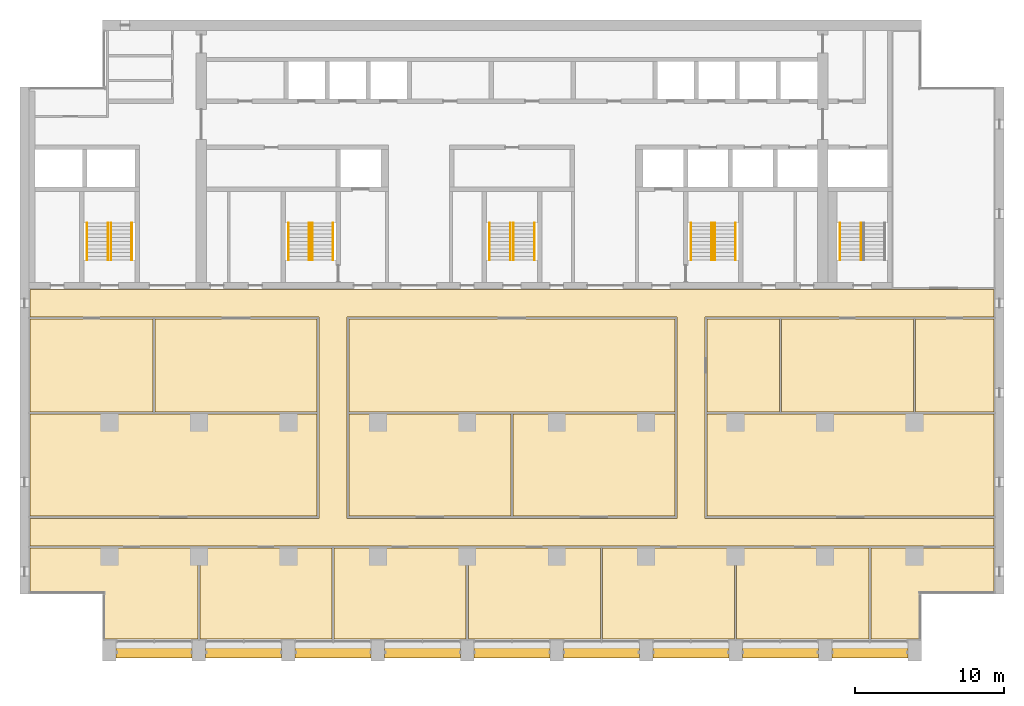
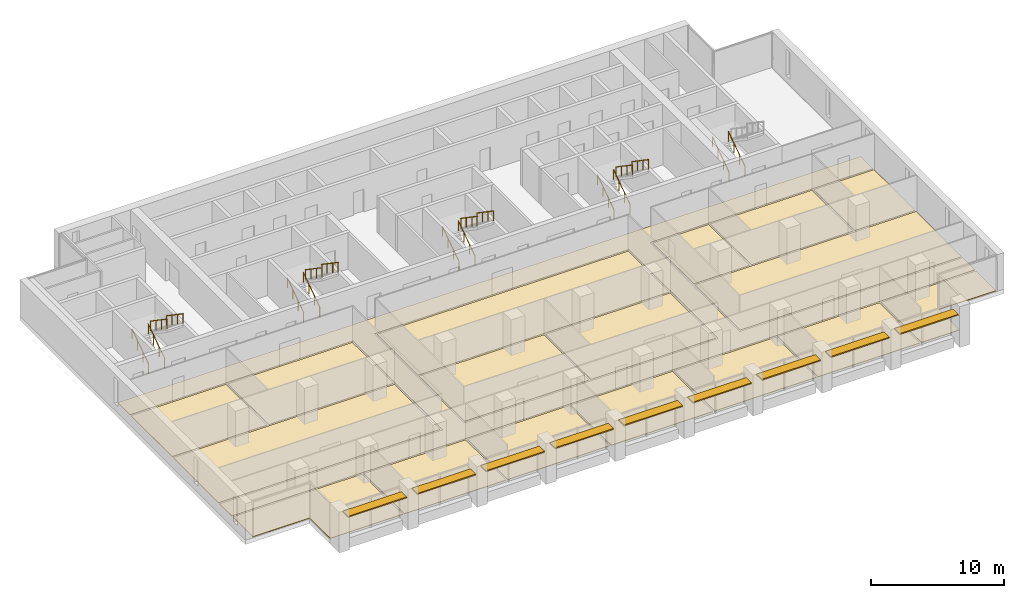
# One storey, part 16 of 17: 18 coverings, 18 railings, 9 shading devices, 5 elements without a shape of their own.
"""IFC4 building model written with IfcOpenShell, lengths in metres."""

from ifc_helpers import new_model, si_unit, direction, frame, origin, origin_2d, place, context, subcontext, project, spatial, polyline, rectangle, circle, outline, extrude, material, layer, layer_set, material_profile, profile_set, type_object, element, aggregate, save


model = new_model("IFC4")

# Units and contexts
model_context = context("Model", 3, precision=1e-05, world=origin(), true_north=direction((0.0, 1.0)))
body_context = subcontext(model_context, "Body", "Model", "MODEL_VIEW")
ifc_project = project(units=[si_unit("LENGTHUNIT", "METRE"), si_unit("AREAUNIT", "SQUARE_METRE"), si_unit("VOLUMEUNIT", "CUBIC_METRE"), si_unit("PLANEANGLEUNIT", "RADIAN"), si_unit("MASSUNIT", "GRAM", prefix="KILO")], contexts=[model_context])

# Site, building, storey
site_placement = place(None, origin())
site = spatial("IfcSite", under=ifc_project, at=site_placement, CompositionType="ELEMENT")
building_placement = place(site_placement, origin())
building = spatial("IfcBuilding", under=site, at=building_placement, Name="Calvaro Tower", CompositionType="ELEMENT")
storey_placement = place(building_placement, frame((0.0, 0.0, 174.25)))
storey = spatial("IfcBuildingStorey", under=building, at=storey_placement, Name="L43", CompositionType="ELEMENT", Elevation=174.25)

# Shading devices
ifc_material_1 = material(Name="Anodised aluminium", Category="aluminium")
ifc_material_profile = material_profile(ifc_material_1, rectangle(XDim=0.800048828125, YDim=0.10009765625, at=origin_2d()), Name="Brise-soleil blade 800 x 100")
ifc_profile_set = profile_set([ifc_material_profile], Name="Anodised aluminium")
shading_device_type = type_object("IfcShadingDeviceType", Name="Brise-soleil blade 800 x 100", PredefinedType="JALOUSIE", material=ifc_profile_set)
for number, where, z_axis, x_axis, name in (
    (1, (12.449951171875, 3.60009765625, 2.5), (1.0, 0.0, 0.0), (0.0, 1.0, 0.0), "Brise-soleil blade 1"),
    (2, (18.449951171875, 3.60009765625, 2.5), (1.0, 0.0, 0.0), (0.0, 1.0, 0.0), "Brise-soleil blade 2"),
    (3, (24.449951171875, 3.60009765625, 2.5), (1.0, 0.0, 0.0), (0.0, 1.0, 0.0), "Brise-soleil blade 3"),
    (4, (30.449951171875, 3.60009765625, 2.5), (1.0, 0.0, 0.0), (0.0, 1.0, 0.0), "Brise-soleil blade 4"),
    (5, (36.449951171875, 3.60009765625, 2.5), (1.0, 0.0, 0.0), (0.0, 1.0, 0.0), "Brise-soleil blade 5"),
    (6, (42.449951171875, 3.60009765625, 2.5), (1.0, 0.0, 0.0), (0.0, 1.0, 0.0), "Brise-soleil blade 6"),
    (7, (48.449951171875, 3.60009765625, 2.5), (1.0, 0.0, 0.0), (0.0, 1.0, 0.0), "Brise-soleil blade 7"),
    (8, (54.449951171875, 3.60009765625, 2.5), (1.0, 0.0, 0.0), (0.0, 1.0, 0.0), "Brise-soleil blade 8"),
    (9, (60.449951171875, 3.60009765625, 2.5), (1.0, 0.0, 0.0), (0.0, 1.0, 0.0), "Brise-soleil blade 9"),
):
    element("IfcShadingDevice", number, at=place(storey_placement, frame(where, z_axis=z_axis, x_axis=x_axis)), inside=storey, type_object=shading_device_type, Name=name, PredefinedType="JALOUSIE", context=body_context, shape_type="SweptSolid", body=[
        extrude(rectangle(XDim=0.800048828125, YDim=0.10009765625, at=origin_2d()), origin(), (0.0, 0.0, 1.0), 5.10009765625),
    ])

# Coverings
ifc_material_2 = material(Name="Cement screed with carpet tile finish")
ifc_layer = layer(ifc_material_2, 0.050048828125)
ifc_layer_set = layer_set([ifc_layer], Name="Cement screed with carpet tile finish")
covering_type = type_object("IfcCoveringType", Name="Floor finish 50", PredefinedType="FLOORING", material=ifc_layer_set)
covering_1_placement = place(storey_placement, origin())
element("IfcCovering", 10, at=covering_1_placement, inside=storey, type_object=covering_type, Name="Floor finish 25.01", PredefinedType="FLOORING", context=body_context, shape_type="SweptSolid", body=[
    extrude(outline(polyline([(6.669921875, 10.719970703125), (6.669921875, 12.580078125), (26.070068359375, 12.580078125), (26.070068359375, 26.070068359375), (6.669921875, 26.070068359375), (6.669921875, 27.929931640625), (71.330078125, 27.929931640625), (71.330078125, 26.070068359375), (51.929931640625, 26.070068359375), (51.929931640625, 12.580078125), (71.330078125, 12.580078125), (71.330078125, 10.719970703125), (6.669921875, 10.719970703125)]), holes=[polyline([(50.070068359375, 12.580078125), (50.070068359375, 26.070068359375), (27.929931640625, 26.070068359375), (27.929931640625, 12.580078125), (50.070068359375, 12.580078125)])]), origin(), (0.0, 0.0, 1.0), 0.050048828125),
])
covering_2_placement = place(storey_placement, origin())
element("IfcCovering", 11, at=covering_2_placement, inside=storey, type_object=covering_type, Name="Floor finish 25.07", PredefinedType="FLOORING", context=body_context, shape_type="SweptSolid", body=[
    extrude(outline(polyline([(17.929931640625, 10.580078125), (17.929931640625, 4.469970703125), (11.6201171875, 4.469970703125), (11.6201171875, 7.570068359375), (6.669921875, 7.570068359375), (6.669921875, 10.580078125), (17.929931640625, 10.580078125)])), origin(), (0.0, 0.0, 1.0), 0.050048828125),
])
covering_3_placement = place(storey_placement, origin())
element("IfcCovering", 12, at=covering_3_placement, inside=storey, type_object=covering_type, Name="Floor finish 25.02", PredefinedType="FLOORING", context=body_context, shape_type="SweptSolid", body=[
    extrude(outline(polyline([(18.070068359375, 10.580078125), (26.929931640625, 10.580078125), (26.929931640625, 4.469970703125), (18.070068359375, 4.469970703125), (18.070068359375, 10.580078125)])), origin(), (0.0, 0.0, 1.0), 0.050048828125),
])
covering_4_placement = place(storey_placement, origin())
element("IfcCovering", 13, at=covering_4_placement, inside=storey, type_object=covering_type, Name="Floor finish 25.03", PredefinedType="FLOORING", context=body_context, shape_type="SweptSolid", body=[
    extrude(outline(polyline([(27.070068359375, 10.580078125), (35.929931640625, 10.580078125), (35.929931640625, 4.469970703125), (27.070068359375, 4.469970703125), (27.070068359375, 10.580078125)])), origin(), (0.0, 0.0, 1.0), 0.050048828125),
])
covering_5_placement = place(storey_placement, origin())
element("IfcCovering", 14, at=covering_5_placement, inside=storey, type_object=covering_type, Name="Floor finish 25.04", PredefinedType="FLOORING", context=body_context, shape_type="SweptSolid", body=[
    extrude(outline(polyline([(36.070068359375, 10.580078125), (44.929931640625, 10.580078125), (44.929931640625, 4.469970703125), (36.070068359375, 4.469970703125), (36.070068359375, 10.580078125)])), origin(), (0.0, 0.0, 1.0), 0.050048828125),
])
covering_6_placement = place(storey_placement, origin())
element("IfcCovering", 15, at=covering_6_placement, inside=storey, type_object=covering_type, Name="Floor finish 25.05", PredefinedType="FLOORING", context=body_context, shape_type="SweptSolid", body=[
    extrude(outline(polyline([(45.070068359375, 10.580078125), (53.929931640625, 10.580078125), (53.929931640625, 4.469970703125), (45.070068359375, 4.469970703125), (45.070068359375, 10.580078125)])), origin(), (0.0, 0.0, 1.0), 0.050048828125),
])
covering_7_placement = place(storey_placement, origin())
element("IfcCovering", 16, at=covering_7_placement, inside=storey, type_object=covering_type, Name="Floor finish 25.06", PredefinedType="FLOORING", context=body_context, shape_type="SweptSolid", body=[
    extrude(outline(polyline([(54.070068359375, 10.580078125), (62.929931640625, 10.580078125), (62.929931640625, 4.469970703125), (54.070068359375, 4.469970703125), (54.070068359375, 10.580078125)])), origin(), (0.0, 0.0, 1.0), 0.050048828125),
])
covering_8_placement = place(storey_placement, origin())
element("IfcCovering", 17, at=covering_8_placement, inside=storey, type_object=covering_type, Name="Floor finish 25.08", PredefinedType="FLOORING", context=body_context, shape_type="SweptSolid", body=[
    extrude(outline(polyline([(71.330078125, 7.570068359375), (66.3798828125, 7.570068359375), (66.3798828125, 4.469970703125), (63.070068359375, 4.469970703125), (63.070068359375, 10.580078125), (71.330078125, 10.580078125), (71.330078125, 7.570068359375)])), origin(), (0.0, 0.0, 1.0), 0.050048828125),
])
covering_9_placement = place(storey_placement, origin())
element("IfcCovering", 18, at=covering_9_placement, inside=storey, type_object=covering_type, Name="Floor finish 25.09", PredefinedType="FLOORING", context=body_context, shape_type="SweptSolid", body=[
    extrude(outline(polyline([(25.929931640625, 19.580078125), (25.929931640625, 12.719970703125), (6.669921875, 12.719970703125), (6.669921875, 19.580078125), (25.929931640625, 19.580078125)])), origin(), (0.0, 0.0, 1.0), 0.050048828125),
])
covering_10_placement = place(storey_placement, origin())
element("IfcCovering", 19, at=covering_10_placement, inside=storey, type_object=covering_type, Name="Floor finish 25.13", PredefinedType="FLOORING", context=body_context, shape_type="SweptSolid", body=[
    extrude(outline(polyline([(14.929931640625, 25.929931640625), (14.929931640625, 19.719970703125), (6.669921875, 19.719970703125), (6.669921875, 25.929931640625), (14.929931640625, 25.929931640625)])), origin(), (0.0, 0.0, 1.0), 0.050048828125),
])
covering_11_placement = place(storey_placement, origin())
element("IfcCovering", 20, at=covering_11_placement, inside=storey, type_object=covering_type, Name="Floor finish 25.14", PredefinedType="FLOORING", context=body_context, shape_type="SweptSolid", body=[
    extrude(outline(polyline([(15.070068359375, 19.719970703125), (15.070068359375, 25.929931640625), (25.929931640625, 25.929931640625), (25.929931640625, 19.719970703125), (15.070068359375, 19.719970703125)])), origin(), (0.0, 0.0, 1.0), 0.050048828125),
])
covering_12_placement = place(storey_placement, origin())
element("IfcCovering", 21, at=covering_12_placement, inside=storey, type_object=covering_type, Name="Floor finish 25.10", PredefinedType="FLOORING", context=body_context, shape_type="SweptSolid", body=[
    extrude(outline(polyline([(28.070068359375, 12.719970703125), (28.070068359375, 19.580078125), (38.929931640625, 19.580078125), (38.929931640625, 12.719970703125), (28.070068359375, 12.719970703125)])), origin(), (0.0, 0.0, 1.0), 0.050048828125),
])
covering_13_placement = place(storey_placement, origin())
element("IfcCovering", 22, at=covering_13_placement, inside=storey, type_object=covering_type, Name="Floor finish 25.11", PredefinedType="FLOORING", context=body_context, shape_type="SweptSolid", body=[
    extrude(outline(polyline([(39.070068359375, 12.719970703125), (39.070068359375, 19.580078125), (49.929931640625, 19.580078125), (49.929931640625, 12.719970703125), (39.070068359375, 12.719970703125)])), origin(), (0.0, 0.0, 1.0), 0.050048828125),
])
covering_14_placement = place(storey_placement, origin())
element("IfcCovering", 23, at=covering_14_placement, inside=storey, type_object=covering_type, Name="Floor finish 25.15", PredefinedType="FLOORING", context=body_context, shape_type="SweptSolid", body=[
    extrude(outline(polyline([(28.070068359375, 19.719970703125), (28.070068359375, 25.929931640625), (49.929931640625, 25.929931640625), (49.929931640625, 19.719970703125), (28.070068359375, 19.719970703125)])), origin(), (0.0, 0.0, 1.0), 0.050048828125),
])
covering_15_placement = place(storey_placement, origin())
element("IfcCovering", 24, at=covering_15_placement, inside=storey, type_object=covering_type, Name="Floor finish 25.12", PredefinedType="FLOORING", context=body_context, shape_type="SweptSolid", body=[
    extrude(outline(polyline([(71.330078125, 12.719970703125), (52.070068359375, 12.719970703125), (52.070068359375, 19.580078125), (71.330078125, 19.580078125), (71.330078125, 12.719970703125)])), origin(), (0.0, 0.0, 1.0), 0.050048828125),
])
covering_16_placement = place(storey_placement, origin())
element("IfcCovering", 25, at=covering_16_placement, inside=storey, type_object=covering_type, Name="Floor finish 25.16", PredefinedType="FLOORING", context=body_context, shape_type="SweptSolid", body=[
    extrude(outline(polyline([(52.070068359375, 19.719970703125), (52.070068359375, 25.929931640625), (56.929931640625, 25.929931640625), (56.929931640625, 19.719970703125), (52.070068359375, 19.719970703125)])), origin(), (0.0, 0.0, 1.0), 0.050048828125),
])
covering_17_placement = place(storey_placement, origin())
element("IfcCovering", 26, at=covering_17_placement, inside=storey, type_object=covering_type, Name="Floor finish 25.17", PredefinedType="FLOORING", context=body_context, shape_type="SweptSolid", body=[
    extrude(outline(polyline([(57.070068359375, 19.719970703125), (57.070068359375, 25.929931640625), (65.929931640625, 25.929931640625), (65.929931640625, 19.719970703125), (57.070068359375, 19.719970703125)])), origin(), (0.0, 0.0, 1.0), 0.050048828125),
])
covering_18_placement = place(storey_placement, origin())
element("IfcCovering", 27, at=covering_18_placement, inside=storey, type_object=covering_type, Name="Floor finish 25.18", PredefinedType="FLOORING", context=body_context, shape_type="SweptSolid", body=[
    extrude(outline(polyline([(71.330078125, 19.719970703125), (66.070068359375, 19.719970703125), (66.070068359375, 25.929931640625), (71.330078125, 25.929931640625), (71.330078125, 19.719970703125)])), origin(), (0.0, 0.0, 1.0), 0.050048828125),
])

# Stair, railings
ifc_material_3 = material(Name="Concrete C40/50", Category="concrete")
stair_type = type_object("IfcStairType", Name="Exit stair 1400 2 flights", PredefinedType="HALF_TURN_STAIR", material=ifc_material_3)
stair_1_placement = place(storey_placement, origin())
stair_1 = element("IfcStair", 28, at=stair_1_placement, inside=storey, type_object=stair_type, Name="Exit stair S1", PredefinedType="HALF_TURN_STAIR")
ifc_material_4 = material(Name="Stainless steel", Category="steel")
railing_type = type_object("IfcRailingType", Name="Stair handrail", PredefinedType="HANDRAIL", material=ifc_material_4)
railing_1_placement = place(storey_placement, frame((11.89990234375, 29.89990234375, 0.17041015625)))
railing_1 = element("IfcRailing", 29, at=railing_1_placement, type_object=railing_type, Name="Exit stair 1 handrail", PredefinedType="HANDRAIL", context=body_context, shape_type="SweptSolid", body=[
    extrude(circle(Radius=0.02392578125, at=origin_2d()), frame((0.0, 0.0, 0.8759765625), z_axis=(0.0, 0.826220514629, 0.563346839174), x_axis=(-1.0, 0.0, 0.0)), (0.0, 0.0, 1.0), 3.02587890625),
    extrude(circle(Radius=0.02099609375, at=origin_2d()), frame((0.0, 0.017333984375, 0.01171875)), (0.0, 0.0, 1.0), 0.851806640625),
    extrude(circle(Radius=0.02099609375, at=origin_2d()), frame((0.0, 0.833251953125, 0.568115234375)), (0.0, 0.0, 1.0), 0.851806640625),
    extrude(circle(Radius=0.02099609375, at=origin_2d()), frame((0.0, 1.666748046875, 1.136474609375)), (0.0, 0.0, 1.0), 0.851806640625),
    extrude(circle(Radius=0.02099609375, at=origin_2d()), frame((0.0, 2.482666015625, 1.69287109375)), (0.0, 0.0, 1.0), 0.851806640625),
])
railing_2_placement = place(storey_placement, frame((10.5, 29.89990234375, 0.17041015625)))
railing_2 = element("IfcRailing", 30, at=railing_2_placement, type_object=railing_type, Name="Exit stair 1 handrail", PredefinedType="HANDRAIL", context=body_context, shape_type="SweptSolid", body=[
    extrude(circle(Radius=0.02392578125, at=origin_2d()), frame((0.0, 0.0, 0.8759765625), z_axis=(0.0, 0.826220514629, 0.563346839174), x_axis=(-1.0, 0.0, 0.0)), (0.0, 0.0, 1.0), 3.02587890625),
    extrude(circle(Radius=0.02099609375, at=origin_2d()), frame((0.0, 0.017333984375, 0.01171875)), (0.0, 0.0, 1.0), 0.851806640625),
    extrude(circle(Radius=0.02099609375, at=origin_2d()), frame((0.0, 0.833251953125, 0.568115234375)), (0.0, 0.0, 1.0), 0.851806640625),
    extrude(circle(Radius=0.02099609375, at=origin_2d()), frame((0.0, 1.666748046875, 1.136474609375)), (0.0, 0.0, 1.0), 0.851806640625),
    extrude(circle(Radius=0.02099609375, at=origin_2d()), frame((0.0, 2.482666015625, 1.69287109375)), (0.0, 0.0, 1.0), 0.851806640625),
])
railing_3_placement = place(storey_placement, frame((12.10009765625, 32.39990234375, 2.04541015625)))
railing_3 = element("IfcRailing", 31, at=railing_3_placement, type_object=railing_type, Name="Exit stair 1 handrail", PredefinedType="HANDRAIL", context=body_context, shape_type="SweptSolid", body=[
    extrude(circle(Radius=0.02392578125, at=origin_2d()), frame((0.0, 0.0, 0.8759765625), z_axis=(0.0, -0.826220514629, 0.563346839174), x_axis=(1.0, 0.0, 0.0)), (0.0, 0.0, 1.0), 3.02587890625),
    extrude(circle(Radius=0.02099609375, at=origin_2d()), frame((0.0, -0.017333984375, 0.01171875)), (0.0, 0.0, 1.0), 0.851806640625),
    extrude(circle(Radius=0.02099609375, at=origin_2d()), frame((0.0, -0.833251953125, 0.568115234375)), (0.0, 0.0, 1.0), 0.851806640625),
    extrude(circle(Radius=0.02099609375, at=origin_2d()), frame((0.0, -1.666748046875, 1.136474609375)), (0.0, 0.0, 1.0), 0.851806640625),
    extrude(circle(Radius=0.02099609375, at=origin_2d()), frame((0.0, -2.482666015625, 1.69287109375)), (0.0, 0.0, 1.0), 0.851806640625),
])
railing_4_placement = place(storey_placement, frame((13.5, 32.39990234375, 2.04541015625)))
railing_4 = element("IfcRailing", 32, at=railing_4_placement, type_object=railing_type, Name="Exit stair 1 handrail", PredefinedType="HANDRAIL", context=body_context, shape_type="SweptSolid", body=[
    extrude(circle(Radius=0.02392578125, at=origin_2d()), frame((0.0, 0.0, 0.8759765625), z_axis=(0.0, -0.826220514629, 0.563346839174), x_axis=(1.0, 0.0, 0.0)), (0.0, 0.0, 1.0), 3.02587890625),
    extrude(circle(Radius=0.02099609375, at=origin_2d()), frame((0.0, -0.017333984375, 0.01171875)), (0.0, 0.0, 1.0), 0.851806640625),
    extrude(circle(Radius=0.02099609375, at=origin_2d()), frame((0.0, -0.833251953125, 0.568115234375)), (0.0, 0.0, 1.0), 0.851806640625),
    extrude(circle(Radius=0.02099609375, at=origin_2d()), frame((0.0, -1.666748046875, 1.136474609375)), (0.0, 0.0, 1.0), 0.851806640625),
    extrude(circle(Radius=0.02099609375, at=origin_2d()), frame((0.0, -2.482666015625, 1.69287109375)), (0.0, 0.0, 1.0), 0.851806640625),
])
aggregate(stair_1, [railing_1, railing_2, railing_3, railing_4])

stair_2_placement = place(storey_placement, origin())
stair_2 = element("IfcStair", 33, at=stair_2_placement, inside=storey, type_object=stair_type, Name="Exit stair S2", PredefinedType="HALF_TURN_STAIR")
railing_5_placement = place(storey_placement, frame((25.39990234375, 29.89990234375, 0.17041015625)))
railing_5 = element("IfcRailing", 34, at=railing_5_placement, type_object=railing_type, Name="Exit stair 2 handrail", PredefinedType="HANDRAIL", context=body_context, shape_type="SweptSolid", body=[
    extrude(circle(Radius=0.02392578125, at=origin_2d()), frame((0.0, 0.0, 0.8759765625), z_axis=(0.0, 0.826220514629, 0.563346839174), x_axis=(-1.0, 0.0, 0.0)), (0.0, 0.0, 1.0), 3.02587890625),
    extrude(circle(Radius=0.02099609375, at=origin_2d()), frame((0.0, 0.017333984375, 0.01171875)), (0.0, 0.0, 1.0), 0.851806640625),
    extrude(circle(Radius=0.02099609375, at=origin_2d()), frame((0.0, 0.833251953125, 0.568115234375)), (0.0, 0.0, 1.0), 0.851806640625),
    extrude(circle(Radius=0.02099609375, at=origin_2d()), frame((0.0, 1.666748046875, 1.136474609375)), (0.0, 0.0, 1.0), 0.851806640625),
    extrude(circle(Radius=0.02099609375, at=origin_2d()), frame((0.0, 2.482666015625, 1.69287109375)), (0.0, 0.0, 1.0), 0.851806640625),
])
railing_6_placement = place(storey_placement, frame((24.0, 29.89990234375, 0.17041015625)))
railing_6 = element("IfcRailing", 35, at=railing_6_placement, type_object=railing_type, Name="Exit stair 2 handrail", PredefinedType="HANDRAIL", context=body_context, shape_type="SweptSolid", body=[
    extrude(circle(Radius=0.02392578125, at=origin_2d()), frame((0.0, 0.0, 0.8759765625), z_axis=(0.0, 0.826220514629, 0.563346839174), x_axis=(-1.0, 0.0, 0.0)), (0.0, 0.0, 1.0), 3.02587890625),
    extrude(circle(Radius=0.02099609375, at=origin_2d()), frame((0.0, 0.017333984375, 0.01171875)), (0.0, 0.0, 1.0), 0.851806640625),
    extrude(circle(Radius=0.02099609375, at=origin_2d()), frame((0.0, 0.833251953125, 0.568115234375)), (0.0, 0.0, 1.0), 0.851806640625),
    extrude(circle(Radius=0.02099609375, at=origin_2d()), frame((0.0, 1.666748046875, 1.136474609375)), (0.0, 0.0, 1.0), 0.851806640625),
    extrude(circle(Radius=0.02099609375, at=origin_2d()), frame((0.0, 2.482666015625, 1.69287109375)), (0.0, 0.0, 1.0), 0.851806640625),
])
railing_7_placement = place(storey_placement, frame((25.60009765625, 32.39990234375, 2.04541015625)))
railing_7 = element("IfcRailing", 36, at=railing_7_placement, type_object=railing_type, Name="Exit stair 2 handrail", PredefinedType="HANDRAIL", context=body_context, shape_type="SweptSolid", body=[
    extrude(circle(Radius=0.02392578125, at=origin_2d()), frame((0.0, 0.0, 0.8759765625), z_axis=(0.0, -0.826220514629, 0.563346839174), x_axis=(1.0, 0.0, 0.0)), (0.0, 0.0, 1.0), 3.02587890625),
    extrude(circle(Radius=0.02099609375, at=origin_2d()), frame((0.0, -0.017333984375, 0.01171875)), (0.0, 0.0, 1.0), 0.851806640625),
    extrude(circle(Radius=0.02099609375, at=origin_2d()), frame((0.0, -0.833251953125, 0.568115234375)), (0.0, 0.0, 1.0), 0.851806640625),
    extrude(circle(Radius=0.02099609375, at=origin_2d()), frame((0.0, -1.666748046875, 1.136474609375)), (0.0, 0.0, 1.0), 0.851806640625),
    extrude(circle(Radius=0.02099609375, at=origin_2d()), frame((0.0, -2.482666015625, 1.69287109375)), (0.0, 0.0, 1.0), 0.851806640625),
])
railing_8_placement = place(storey_placement, frame((27.0, 32.39990234375, 2.04541015625)))
railing_8 = element("IfcRailing", 37, at=railing_8_placement, type_object=railing_type, Name="Exit stair 2 handrail", PredefinedType="HANDRAIL", context=body_context, shape_type="SweptSolid", body=[
    extrude(circle(Radius=0.02392578125, at=origin_2d()), frame((0.0, 0.0, 0.8759765625), z_axis=(0.0, -0.826220514629, 0.563346839174), x_axis=(1.0, 0.0, 0.0)), (0.0, 0.0, 1.0), 3.02587890625),
    extrude(circle(Radius=0.02099609375, at=origin_2d()), frame((0.0, -0.017333984375, 0.01171875)), (0.0, 0.0, 1.0), 0.851806640625),
    extrude(circle(Radius=0.02099609375, at=origin_2d()), frame((0.0, -0.833251953125, 0.568115234375)), (0.0, 0.0, 1.0), 0.851806640625),
    extrude(circle(Radius=0.02099609375, at=origin_2d()), frame((0.0, -1.666748046875, 1.136474609375)), (0.0, 0.0, 1.0), 0.851806640625),
    extrude(circle(Radius=0.02099609375, at=origin_2d()), frame((0.0, -2.482666015625, 1.69287109375)), (0.0, 0.0, 1.0), 0.851806640625),
])
aggregate(stair_2, [railing_5, railing_6, railing_7, railing_8])

stair_3_placement = place(storey_placement, origin())
stair_3 = element("IfcStair", 38, at=stair_3_placement, inside=storey, type_object=stair_type, Name="Exit stair S3", PredefinedType="HALF_TURN_STAIR")
railing_9_placement = place(storey_placement, frame((38.89990234375, 29.89990234375, 0.17041015625)))
railing_9 = element("IfcRailing", 39, at=railing_9_placement, type_object=railing_type, Name="Exit stair 3 handrail", PredefinedType="HANDRAIL", context=body_context, shape_type="SweptSolid", body=[
    extrude(circle(Radius=0.02392578125, at=origin_2d()), frame((0.0, 0.0, 0.8759765625), z_axis=(0.0, 0.826220514629, 0.563346839174), x_axis=(-1.0, 0.0, 0.0)), (0.0, 0.0, 1.0), 3.02587890625),
    extrude(circle(Radius=0.02099609375, at=origin_2d()), frame((0.0, 0.017333984375, 0.01171875)), (0.0, 0.0, 1.0), 0.851806640625),
    extrude(circle(Radius=0.02099609375, at=origin_2d()), frame((0.0, 0.833251953125, 0.568115234375)), (0.0, 0.0, 1.0), 0.851806640625),
    extrude(circle(Radius=0.02099609375, at=origin_2d()), frame((0.0, 1.666748046875, 1.136474609375)), (0.0, 0.0, 1.0), 0.851806640625),
    extrude(circle(Radius=0.02099609375, at=origin_2d()), frame((0.0, 2.482666015625, 1.69287109375)), (0.0, 0.0, 1.0), 0.851806640625),
])
railing_10_placement = place(storey_placement, frame((37.5, 29.89990234375, 0.17041015625)))
railing_10 = element("IfcRailing", 40, at=railing_10_placement, type_object=railing_type, Name="Exit stair 3 handrail", PredefinedType="HANDRAIL", context=body_context, shape_type="SweptSolid", body=[
    extrude(circle(Radius=0.02392578125, at=origin_2d()), frame((0.0, 0.0, 0.8759765625), z_axis=(0.0, 0.826220514629, 0.563346839174), x_axis=(-1.0, 0.0, 0.0)), (0.0, 0.0, 1.0), 3.02587890625),
    extrude(circle(Radius=0.02099609375, at=origin_2d()), frame((0.0, 0.017333984375, 0.01171875)), (0.0, 0.0, 1.0), 0.851806640625),
    extrude(circle(Radius=0.02099609375, at=origin_2d()), frame((0.0, 0.833251953125, 0.568115234375)), (0.0, 0.0, 1.0), 0.851806640625),
    extrude(circle(Radius=0.02099609375, at=origin_2d()), frame((0.0, 1.666748046875, 1.136474609375)), (0.0, 0.0, 1.0), 0.851806640625),
    extrude(circle(Radius=0.02099609375, at=origin_2d()), frame((0.0, 2.482666015625, 1.69287109375)), (0.0, 0.0, 1.0), 0.851806640625),
])
railing_11_placement = place(storey_placement, frame((39.10009765625, 32.39990234375, 2.04541015625)))
railing_11 = element("IfcRailing", 41, at=railing_11_placement, type_object=railing_type, Name="Exit stair 3 handrail", PredefinedType="HANDRAIL", context=body_context, shape_type="SweptSolid", body=[
    extrude(circle(Radius=0.02392578125, at=origin_2d()), frame((0.0, 0.0, 0.8759765625), z_axis=(0.0, -0.826220514629, 0.563346839174), x_axis=(1.0, 0.0, 0.0)), (0.0, 0.0, 1.0), 3.02587890625),
    extrude(circle(Radius=0.02099609375, at=origin_2d()), frame((0.0, -0.017333984375, 0.01171875)), (0.0, 0.0, 1.0), 0.851806640625),
    extrude(circle(Radius=0.02099609375, at=origin_2d()), frame((0.0, -0.833251953125, 0.568115234375)), (0.0, 0.0, 1.0), 0.851806640625),
    extrude(circle(Radius=0.02099609375, at=origin_2d()), frame((0.0, -1.666748046875, 1.136474609375)), (0.0, 0.0, 1.0), 0.851806640625),
    extrude(circle(Radius=0.02099609375, at=origin_2d()), frame((0.0, -2.482666015625, 1.69287109375)), (0.0, 0.0, 1.0), 0.851806640625),
])
railing_12_placement = place(storey_placement, frame((40.5, 32.39990234375, 2.04541015625)))
railing_12 = element("IfcRailing", 42, at=railing_12_placement, type_object=railing_type, Name="Exit stair 3 handrail", PredefinedType="HANDRAIL", context=body_context, shape_type="SweptSolid", body=[
    extrude(circle(Radius=0.02392578125, at=origin_2d()), frame((0.0, 0.0, 0.8759765625), z_axis=(0.0, -0.826220514629, 0.563346839174), x_axis=(1.0, 0.0, 0.0)), (0.0, 0.0, 1.0), 3.02587890625),
    extrude(circle(Radius=0.02099609375, at=origin_2d()), frame((0.0, -0.017333984375, 0.01171875)), (0.0, 0.0, 1.0), 0.851806640625),
    extrude(circle(Radius=0.02099609375, at=origin_2d()), frame((0.0, -0.833251953125, 0.568115234375)), (0.0, 0.0, 1.0), 0.851806640625),
    extrude(circle(Radius=0.02099609375, at=origin_2d()), frame((0.0, -1.666748046875, 1.136474609375)), (0.0, 0.0, 1.0), 0.851806640625),
    extrude(circle(Radius=0.02099609375, at=origin_2d()), frame((0.0, -2.482666015625, 1.69287109375)), (0.0, 0.0, 1.0), 0.851806640625),
])
aggregate(stair_3, [railing_9, railing_10, railing_11, railing_12])

stair_4_placement = place(storey_placement, origin())
stair_4 = element("IfcStair", 43, at=stair_4_placement, inside=storey, type_object=stair_type, Name="Exit stair S4", PredefinedType="HALF_TURN_STAIR")
railing_13_placement = place(storey_placement, frame((52.39990234375, 29.89990234375, 0.17041015625)))
railing_13 = element("IfcRailing", 44, at=railing_13_placement, type_object=railing_type, Name="Exit stair 4 handrail", PredefinedType="HANDRAIL", context=body_context, shape_type="SweptSolid", body=[
    extrude(circle(Radius=0.02392578125, at=origin_2d()), frame((0.0, 0.0, 0.8759765625), z_axis=(0.0, 0.826220514629, 0.563346839174), x_axis=(-1.0, 0.0, 0.0)), (0.0, 0.0, 1.0), 3.02587890625),
    extrude(circle(Radius=0.02099609375, at=origin_2d()), frame((0.0, 0.017333984375, 0.01171875)), (0.0, 0.0, 1.0), 0.851806640625),
    extrude(circle(Radius=0.02099609375, at=origin_2d()), frame((0.0, 0.833251953125, 0.568115234375)), (0.0, 0.0, 1.0), 0.851806640625),
    extrude(circle(Radius=0.02099609375, at=origin_2d()), frame((0.0, 1.666748046875, 1.136474609375)), (0.0, 0.0, 1.0), 0.851806640625),
    extrude(circle(Radius=0.02099609375, at=origin_2d()), frame((0.0, 2.482666015625, 1.69287109375)), (0.0, 0.0, 1.0), 0.851806640625),
])
railing_14_placement = place(storey_placement, frame((51.0, 29.89990234375, 0.17041015625)))
railing_14 = element("IfcRailing", 45, at=railing_14_placement, type_object=railing_type, Name="Exit stair 4 handrail", PredefinedType="HANDRAIL", context=body_context, shape_type="SweptSolid", body=[
    extrude(circle(Radius=0.02392578125, at=origin_2d()), frame((0.0, 0.0, 0.8759765625), z_axis=(0.0, 0.826220514629, 0.563346839174), x_axis=(-1.0, 0.0, 0.0)), (0.0, 0.0, 1.0), 3.02587890625),
    extrude(circle(Radius=0.02099609375, at=origin_2d()), frame((0.0, 0.017333984375, 0.01171875)), (0.0, 0.0, 1.0), 0.851806640625),
    extrude(circle(Radius=0.02099609375, at=origin_2d()), frame((0.0, 0.833251953125, 0.568115234375)), (0.0, 0.0, 1.0), 0.851806640625),
    extrude(circle(Radius=0.02099609375, at=origin_2d()), frame((0.0, 1.666748046875, 1.136474609375)), (0.0, 0.0, 1.0), 0.851806640625),
    extrude(circle(Radius=0.02099609375, at=origin_2d()), frame((0.0, 2.482666015625, 1.69287109375)), (0.0, 0.0, 1.0), 0.851806640625),
])
railing_15_placement = place(storey_placement, frame((52.60009765625, 32.39990234375, 2.04541015625)))
railing_15 = element("IfcRailing", 46, at=railing_15_placement, type_object=railing_type, Name="Exit stair 4 handrail", PredefinedType="HANDRAIL", context=body_context, shape_type="SweptSolid", body=[
    extrude(circle(Radius=0.02392578125, at=origin_2d()), frame((0.0, 0.0, 0.8759765625), z_axis=(0.0, -0.826220514629, 0.563346839174), x_axis=(1.0, 0.0, 0.0)), (0.0, 0.0, 1.0), 3.02587890625),
    extrude(circle(Radius=0.02099609375, at=origin_2d()), frame((0.0, -0.017333984375, 0.01171875)), (0.0, 0.0, 1.0), 0.851806640625),
    extrude(circle(Radius=0.02099609375, at=origin_2d()), frame((0.0, -0.833251953125, 0.568115234375)), (0.0, 0.0, 1.0), 0.851806640625),
    extrude(circle(Radius=0.02099609375, at=origin_2d()), frame((0.0, -1.666748046875, 1.136474609375)), (0.0, 0.0, 1.0), 0.851806640625),
    extrude(circle(Radius=0.02099609375, at=origin_2d()), frame((0.0, -2.482666015625, 1.69287109375)), (0.0, 0.0, 1.0), 0.851806640625),
])
railing_16_placement = place(storey_placement, frame((54.0, 32.39990234375, 2.04541015625)))
railing_16 = element("IfcRailing", 47, at=railing_16_placement, type_object=railing_type, Name="Exit stair 4 handrail", PredefinedType="HANDRAIL", context=body_context, shape_type="SweptSolid", body=[
    extrude(circle(Radius=0.02392578125, at=origin_2d()), frame((0.0, 0.0, 0.8759765625), z_axis=(0.0, -0.826220514629, 0.563346839174), x_axis=(1.0, 0.0, 0.0)), (0.0, 0.0, 1.0), 3.02587890625),
    extrude(circle(Radius=0.02099609375, at=origin_2d()), frame((0.0, -0.017333984375, 0.01171875)), (0.0, 0.0, 1.0), 0.851806640625),
    extrude(circle(Radius=0.02099609375, at=origin_2d()), frame((0.0, -0.833251953125, 0.568115234375)), (0.0, 0.0, 1.0), 0.851806640625),
    extrude(circle(Radius=0.02099609375, at=origin_2d()), frame((0.0, -1.666748046875, 1.136474609375)), (0.0, 0.0, 1.0), 0.851806640625),
    extrude(circle(Radius=0.02099609375, at=origin_2d()), frame((0.0, -2.482666015625, 1.69287109375)), (0.0, 0.0, 1.0), 0.851806640625),
])
aggregate(stair_4, [railing_13, railing_14, railing_15, railing_16])

stair_5_placement = place(storey_placement, origin())
stair_5 = element("IfcStair", 48, at=stair_5_placement, inside=storey, type_object=stair_type, Name="Exit stair S5", PredefinedType="HALF_TURN_STAIR")
railing_17_placement = place(storey_placement, frame((62.39990234375, 29.89990234375, 0.17041015625)))
railing_17 = element("IfcRailing", 49, at=railing_17_placement, type_object=railing_type, Name="Exit stair 5 handrail", PredefinedType="HANDRAIL", context=body_context, shape_type="SweptSolid", body=[
    extrude(circle(Radius=0.02392578125, at=origin_2d()), frame((0.0, 0.0, 0.8759765625), z_axis=(0.0, 0.826220514629, 0.563346839174), x_axis=(-1.0, 0.0, 0.0)), (0.0, 0.0, 1.0), 3.02587890625),
    extrude(circle(Radius=0.02099609375, at=origin_2d()), frame((0.0, 0.017333984375, 0.01171875)), (0.0, 0.0, 1.0), 0.851806640625),
    extrude(circle(Radius=0.02099609375, at=origin_2d()), frame((0.0, 0.833251953125, 0.568115234375)), (0.0, 0.0, 1.0), 0.851806640625),
    extrude(circle(Radius=0.02099609375, at=origin_2d()), frame((0.0, 1.666748046875, 1.136474609375)), (0.0, 0.0, 1.0), 0.851806640625),
    extrude(circle(Radius=0.02099609375, at=origin_2d()), frame((0.0, 2.482666015625, 1.69287109375)), (0.0, 0.0, 1.0), 0.851806640625),
])
railing_18_placement = place(storey_placement, frame((61.0, 29.89990234375, 0.17041015625)))
railing_18 = element("IfcRailing", 50, at=railing_18_placement, type_object=railing_type, Name="Exit stair 5 handrail", PredefinedType="HANDRAIL", context=body_context, shape_type="SweptSolid", body=[
    extrude(circle(Radius=0.02392578125, at=origin_2d()), frame((0.0, 0.0, 0.8759765625), z_axis=(0.0, 0.826220514629, 0.563346839174), x_axis=(-1.0, 0.0, 0.0)), (0.0, 0.0, 1.0), 3.02587890625),
    extrude(circle(Radius=0.02099609375, at=origin_2d()), frame((0.0, 0.017333984375, 0.01171875)), (0.0, 0.0, 1.0), 0.851806640625),
    extrude(circle(Radius=0.02099609375, at=origin_2d()), frame((0.0, 0.833251953125, 0.568115234375)), (0.0, 0.0, 1.0), 0.851806640625),
    extrude(circle(Radius=0.02099609375, at=origin_2d()), frame((0.0, 1.666748046875, 1.136474609375)), (0.0, 0.0, 1.0), 0.851806640625),
    extrude(circle(Radius=0.02099609375, at=origin_2d()), frame((0.0, 2.482666015625, 1.69287109375)), (0.0, 0.0, 1.0), 0.851806640625),
])
aggregate(stair_5, [railing_17, railing_18])

save(model, "model.ifc")
